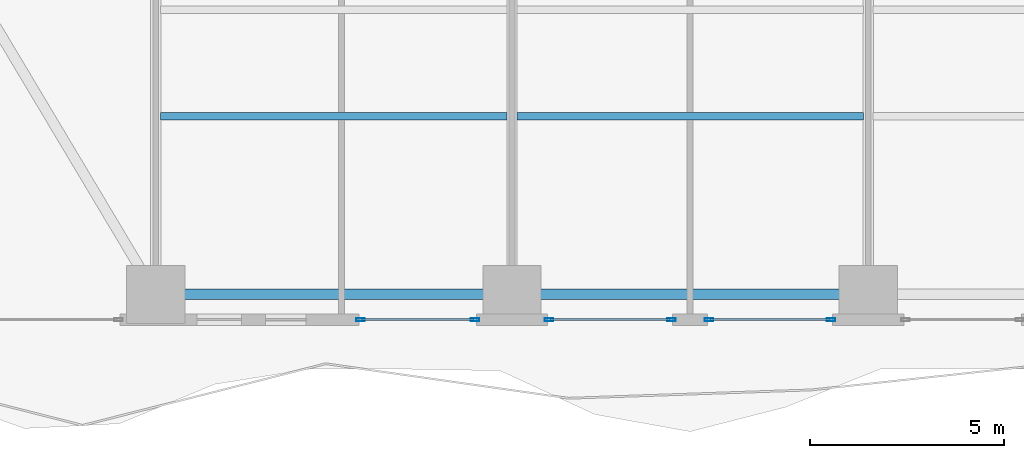
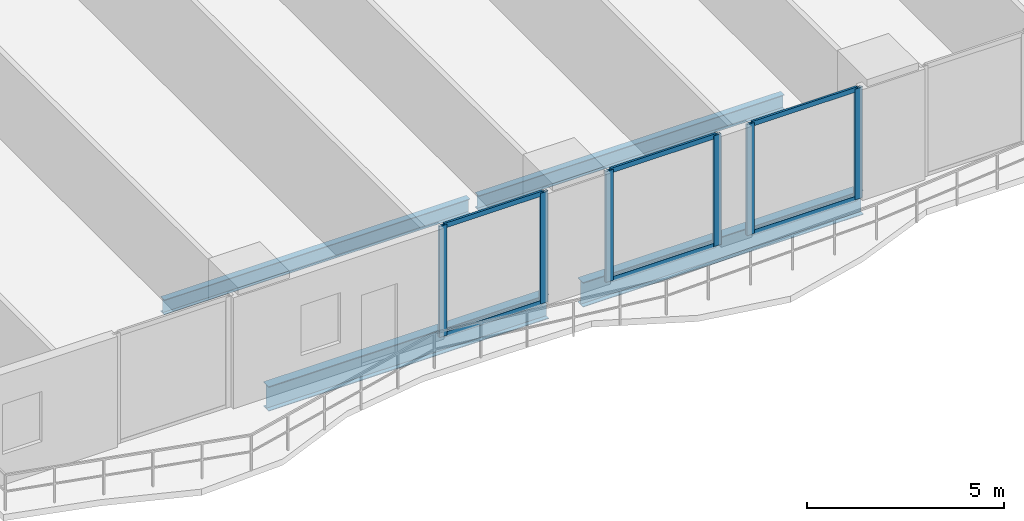
# One storey, part 4 of 29: 12 members, 4 beams, 3 elements without a shape of their own.
"""IFC4 building model written with IfcOpenShell, lengths in metres."""

from ifc_helpers import new_model, si_unit, direction, frame, origin, origin_2d, place, context, subcontext, project, spatial, hollow_rectangle, i_section, extrude, material, layer, layer_set, material_profile, profile_set, type_object, element, aggregate, save


model = new_model("IFC4")

# Units and contexts
model_context = context("Model", 3, precision=1e-05, world=origin(), true_north=direction((0.0, 1.0)))
body_context = subcontext(model_context, "Body", "Model", "MODEL_VIEW")
ifc_project = project(units=[si_unit("LENGTHUNIT", "METRE"), si_unit("AREAUNIT", "SQUARE_METRE"), si_unit("VOLUMEUNIT", "CUBIC_METRE"), si_unit("PLANEANGLEUNIT", "RADIAN"), si_unit("MASSUNIT", "GRAM", prefix="KILO")], contexts=[model_context])

# Site, building, storey
site_placement = place(None, origin())
site = spatial("IfcSite", under=ifc_project, at=site_placement, CompositionType="ELEMENT")
building_placement = place(site_placement, origin())
building = spatial("IfcBuilding", under=site, at=building_placement, Name="Zuhayl Quay Hotel", CompositionType="ELEMENT")
storey_placement = place(building_placement, frame((0.0, 0.0, 60.449951171875)))
storey = spatial("IfcBuildingStorey", under=building, at=storey_placement, Name="L14", CompositionType="ELEMENT", Elevation=60.449951171875)

# Beams
ifc_material_1 = material(Name="Steel ASTM A992 Grade 50", Category="steel")
ifc_material_profile_1 = material_profile(ifc_material_1, i_section(OverallWidth=0.26708984375, OverallDepth=0.761962890625, WebThickness=0.014404296875, FlangeThickness=0.021484375, at=origin_2d()), Name="W30X116")
ifc_profile_set_1 = profile_set([ifc_material_profile_1], Name="Steel ASTM A992 Grade 50")
beam_type_1 = type_object("IfcBeamType", Name="BM_B1_W30X116", PredefinedType="BEAM", material=ifc_profile_set_1)
beam_1_placement = place(storey_placement, frame((-13.300048828125, -22.449951171875, -0.600830078125), z_axis=(1.0, 0.0, 0.0), x_axis=(0.0, 1.0, 0.0)))
element("IfcBeam", 1, at=beam_1_placement, inside=storey, type_object=beam_type_1, Name="L14 Floor Beam RG_L14_01", PredefinedType="BEAM", context=body_context, shape_type="SweptSolid", body=[
    extrude(i_section(OverallWidth=0.26708984375, OverallDepth=0.761962890625, WebThickness=0.014404296875, FlangeThickness=0.021484375, at=origin_2d()), origin(), (0.0, 0.0, 1.0), 8.199951171875),
])
beam_2_placement = place(storey_placement, frame((-4.10009765625, -22.449951171875, -0.600830078125), z_axis=(1.0, 0.0, 0.0), x_axis=(0.0, 1.0, 0.0)))
element("IfcBeam", 2, at=beam_2_placement, inside=storey, type_object=beam_type_1, Name="L14 Floor Beam RG_L14_02", PredefinedType="BEAM", context=body_context, shape_type="SweptSolid", body=[
    extrude(i_section(OverallWidth=0.26708984375, OverallDepth=0.761962890625, WebThickness=0.014404296875, FlangeThickness=0.021484375, at=origin_2d()), origin(), (0.0, 0.0, 1.0), 8.2001953125),
])
ifc_material_profile_2 = material_profile(ifc_material_1, i_section(OverallWidth=0.18994140625, OverallDepth=0.45703125, WebThickness=0.009033203125, FlangeThickness=0.014404296875, at=origin_2d()), Name="W18X50")
ifc_profile_set_2 = profile_set([ifc_material_profile_2], Name="Steel ASTM A992 Grade 50")
beam_type_2 = type_object("IfcBeamType", Name="BM_J2_W18X50", PredefinedType="JOIST", material=ifc_profile_set_2)
beam_3_placement = place(storey_placement, frame((-13.674560546875, -17.85009765625, -0.448486328125), z_axis=(1.0, 0.0, 0.0), x_axis=(0.0, 1.0, 0.0)))
element("IfcBeam", 3, at=beam_3_placement, inside=storey, type_object=beam_type_2, Name="L14 Floor Beam FJ_L14_3_1", PredefinedType="JOIST", context=body_context, shape_type="SweptSolid", body=[
    extrude(i_section(OverallWidth=0.18994140625, OverallDepth=0.45703125, WebThickness=0.009033203125, FlangeThickness=0.014404296875, at=origin_2d()), origin(), (0.0, 0.0, 1.0), 8.948974609375),
])
beam_4_placement = place(storey_placement, frame((-4.474609375, -17.85009765625, -0.448486328125), z_axis=(1.0, 0.0, 0.0), x_axis=(0.0, 1.0, 0.0)))
element("IfcBeam", 4, at=beam_4_placement, inside=storey, type_object=beam_type_2, Name="L14 Floor Beam FJ_L14_3_2", PredefinedType="JOIST", context=body_context, shape_type="SweptSolid", body=[
    extrude(i_section(OverallWidth=0.18994140625, OverallDepth=0.45703125, WebThickness=0.009033203125, FlangeThickness=0.014404296875, at=origin_2d()), origin(), (0.0, 0.0, 1.0), 8.94921875),
])

# Curtain wall, members
ifc_material_2 = material(Name="Anodised Aluminium 6063-T6", Category="aluminium")
ifc_layer = layer(ifc_material_2, 0.18994140625, Name="Anodised Aluminium 6063-T6", Category="aluminium")
ifc_layer_set = layer_set([ifc_layer], Name="Anodised Aluminium 6063-T6")
curtain_wall_type = type_object("IfcCurtainWallType", Name="CW_SYS_Z1", PredefinedType="USERDEFINED", material=ifc_layer_set)
curtain_wall_1_placement = place(storey_placement, origin())
curtain_wall_1 = element("IfcCurtainWall", 5, at=curtain_wall_1_placement, inside=storey, type_object=curtain_wall_type, Name="L14 Curtain Wall ENV_L14_S_CW4", ObjectType="UNITISED CURTAIN WALL", PredefinedType="USERDEFINED")
ifc_material_3 = material(Name="Black-anodised aluminium 6063-T6", Category="aluminium")
ifc_material_profile_3 = material_profile(ifc_material_3, hollow_rectangle(XDim=0.074951171875, YDim=0.219970703125, WallThickness=0.00390625, at=origin_2d()), Name="ALU220X75")
ifc_profile_set_3 = profile_set([ifc_material_profile_3], Name="Black-anodised aluminium 6063-T6")
member_type_1 = type_object("IfcMemberType", Name="MB_CW_MUL_220", PredefinedType="MULLION", material=ifc_profile_set_3)
member_1_placement = place(storey_placement, frame((3.642578125, -23.10009765625, 0.0), z_axis=(0.0, 0.0, 1.0), x_axis=(0.0, -1.0, 0.0)))
member_1 = element("IfcMember", 6, at=member_1_placement, type_object=member_type_1, Name="CW-Z1 mullion 1", PredefinedType="MULLION", context=body_context, shape_type="SweptSolid", body=[
    extrude(hollow_rectangle(XDim=0.074951171875, YDim=0.219970703125, WallThickness=0.00390625, at=origin_2d()), origin(), (0.0, 0.0, 1.0), 3.429931640625),
])
member_2_placement = place(storey_placement, frame((0.487548828125, -23.10009765625, 0.0), z_axis=(0.0, 0.0, 1.0), x_axis=(0.0, -1.0, 0.0)))
member_2 = element("IfcMember", 7, at=member_2_placement, type_object=member_type_1, Name="CW-Z1 mullion 2", PredefinedType="MULLION", context=body_context, shape_type="SweptSolid", body=[
    extrude(hollow_rectangle(XDim=0.074951171875, YDim=0.219970703125, WallThickness=0.00390625, at=origin_2d()), origin(), (0.0, 0.0, 1.0), 3.429931640625),
])

curtain_wall_2_placement = place(storey_placement, origin())
curtain_wall_2 = element("IfcCurtainWall", 8, at=curtain_wall_2_placement, inside=storey, type_object=curtain_wall_type, Name="L14 Curtain Wall ENV_L14_S_CW5", ObjectType="UNITISED CURTAIN WALL", PredefinedType="USERDEFINED")
member_3_placement = place(storey_placement, frame((-0.487548828125, -23.10009765625, 0.0), z_axis=(0.0, 0.0, 1.0), x_axis=(0.0, -1.0, 0.0)))
member_3 = element("IfcMember", 9, at=member_3_placement, type_object=member_type_1, Name="CW-Z1 mullion 1", PredefinedType="MULLION", context=body_context, shape_type="SweptSolid", body=[
    extrude(hollow_rectangle(XDim=0.074951171875, YDim=0.219970703125, WallThickness=0.00390625, at=origin_2d()), origin(), (0.0, 0.0, 1.0), 3.429931640625),
])
member_4_placement = place(storey_placement, frame((-3.642578125, -23.10009765625, 0.0), z_axis=(0.0, 0.0, 1.0), x_axis=(0.0, -1.0, 0.0)))
member_4 = element("IfcMember", 10, at=member_4_placement, type_object=member_type_1, Name="CW-Z1 mullion 2", PredefinedType="MULLION", context=body_context, shape_type="SweptSolid", body=[
    extrude(hollow_rectangle(XDim=0.074951171875, YDim=0.219970703125, WallThickness=0.00390625, at=origin_2d()), origin(), (0.0, 0.0, 1.0), 3.429931640625),
])

curtain_wall_3_placement = place(storey_placement, origin())
curtain_wall_3 = element("IfcCurtainWall", 11, at=curtain_wall_3_placement, inside=storey, type_object=curtain_wall_type, Name="L14 Curtain Wall ENV_L14_S_CW6", ObjectType="UNITISED CURTAIN WALL", PredefinedType="USERDEFINED")
member_5_placement = place(storey_placement, frame((-5.5576171875, -23.10009765625, 0.0), z_axis=(0.0, 0.0, 1.0), x_axis=(0.0, -1.0, 0.0)))
member_5 = element("IfcMember", 12, at=member_5_placement, type_object=member_type_1, Name="CW-Z1 mullion 1", PredefinedType="MULLION", context=body_context, shape_type="SweptSolid", body=[
    extrude(hollow_rectangle(XDim=0.074951171875, YDim=0.219970703125, WallThickness=0.00390625, at=origin_2d()), origin(), (0.0, 0.0, 1.0), 3.429931640625),
])
member_6_placement = place(storey_placement, frame((-8.512451171875, -23.10009765625, 0.0), z_axis=(0.0, 0.0, 1.0), x_axis=(0.0, -1.0, 0.0)))
member_6 = element("IfcMember", 13, at=member_6_placement, type_object=member_type_1, Name="CW-Z1 mullion 2", PredefinedType="MULLION", context=body_context, shape_type="SweptSolid", body=[
    extrude(hollow_rectangle(XDim=0.074951171875, YDim=0.219970703125, WallThickness=0.00390625, at=origin_2d()), origin(), (0.0, 0.0, 1.0), 3.429931640625),
])

# Member
ifc_material_profile_4 = material_profile(ifc_material_3, hollow_rectangle(XDim=0.06005859375, YDim=0.14990234375, WallThickness=0.00341796875, at=origin_2d()), Name="ALU150X60")
ifc_profile_set_4 = profile_set([ifc_material_profile_4], Name="Black-anodised aluminium 6063-T6")
member_type_2 = type_object("IfcMemberType", Name="MB_CW_TRN_150", PredefinedType="USERDEFINED", material=ifc_profile_set_4)
member_7_placement = place(storey_placement, frame((3.60498046875, -23.10009765625, 0.030029296875), z_axis=(-1.0, 0.0, 0.0), x_axis=(0.0, -1.0, 0.0)))
member_7 = element("IfcMember", 14, at=member_7_placement, type_object=member_type_2, Name="CW-Z1 transom 1.1", ObjectType="TRANSOM", PredefinedType="USERDEFINED", context=body_context, shape_type="SweptSolid", body=[
    extrude(hollow_rectangle(XDim=0.06005859375, YDim=0.14990234375, WallThickness=0.00341796875, at=origin_2d()), origin(), (0.0, 0.0, 1.0), 3.080078125),
])

member_8_placement = place(storey_placement, frame((3.60498046875, -23.10009765625, 3.400146484375), z_axis=(-1.0, 0.0, 0.0), x_axis=(0.0, -1.0, 0.0)))
member_8 = element("IfcMember", 15, at=member_8_placement, type_object=member_type_2, Name="CW-Z1 transom 1.2", ObjectType="TRANSOM", PredefinedType="USERDEFINED", context=body_context, shape_type="SweptSolid", body=[
    extrude(hollow_rectangle(XDim=0.06005859375, YDim=0.14990234375, WallThickness=0.00341796875, at=origin_2d()), origin(), (0.0, 0.0, 1.0), 3.080078125),
])

aggregate(curtain_wall_1, [member_1, member_2, member_7, member_8])

member_9_placement = place(storey_placement, frame((-0.52490234375, -23.10009765625, 0.030029296875), z_axis=(-1.0, 0.0, 0.0), x_axis=(0.0, -1.0, 0.0)))
member_9 = element("IfcMember", 16, at=member_9_placement, type_object=member_type_2, Name="CW-Z1 transom 1.1", ObjectType="TRANSOM", PredefinedType="USERDEFINED", context=body_context, shape_type="SweptSolid", body=[
    extrude(hollow_rectangle(XDim=0.06005859375, YDim=0.14990234375, WallThickness=0.00341796875, at=origin_2d()), origin(), (0.0, 0.0, 1.0), 3.080078125),
])

member_10_placement = place(storey_placement, frame((-0.52490234375, -23.10009765625, 3.400146484375), z_axis=(-1.0, 0.0, 0.0), x_axis=(0.0, -1.0, 0.0)))
member_10 = element("IfcMember", 17, at=member_10_placement, type_object=member_type_2, Name="CW-Z1 transom 1.2", ObjectType="TRANSOM", PredefinedType="USERDEFINED", context=body_context, shape_type="SweptSolid", body=[
    extrude(hollow_rectangle(XDim=0.06005859375, YDim=0.14990234375, WallThickness=0.00341796875, at=origin_2d()), origin(), (0.0, 0.0, 1.0), 3.080078125),
])

aggregate(curtain_wall_2, [member_3, member_4, member_9, member_10])

member_11_placement = place(storey_placement, frame((-5.594970703125, -23.10009765625, 0.030029296875), z_axis=(-1.0, 0.0, 0.0), x_axis=(0.0, -1.0, 0.0)))
member_11 = element("IfcMember", 18, at=member_11_placement, type_object=member_type_2, Name="CW-Z1 transom 1.1", ObjectType="TRANSOM", PredefinedType="USERDEFINED", context=body_context, shape_type="SweptSolid", body=[
    extrude(hollow_rectangle(XDim=0.06005859375, YDim=0.14990234375, WallThickness=0.00341796875, at=origin_2d()), origin(), (0.0, 0.0, 1.0), 2.880126953125),
])

member_12_placement = place(storey_placement, frame((-5.594970703125, -23.10009765625, 3.400146484375), z_axis=(-1.0, 0.0, 0.0), x_axis=(0.0, -1.0, 0.0)))
member_12 = element("IfcMember", 19, at=member_12_placement, type_object=member_type_2, Name="CW-Z1 transom 1.2", ObjectType="TRANSOM", PredefinedType="USERDEFINED", context=body_context, shape_type="SweptSolid", body=[
    extrude(hollow_rectangle(XDim=0.06005859375, YDim=0.14990234375, WallThickness=0.00341796875, at=origin_2d()), origin(), (0.0, 0.0, 1.0), 2.880126953125),
])

aggregate(curtain_wall_3, [member_5, member_6, member_11, member_12])

save(model, "model.ifc")
